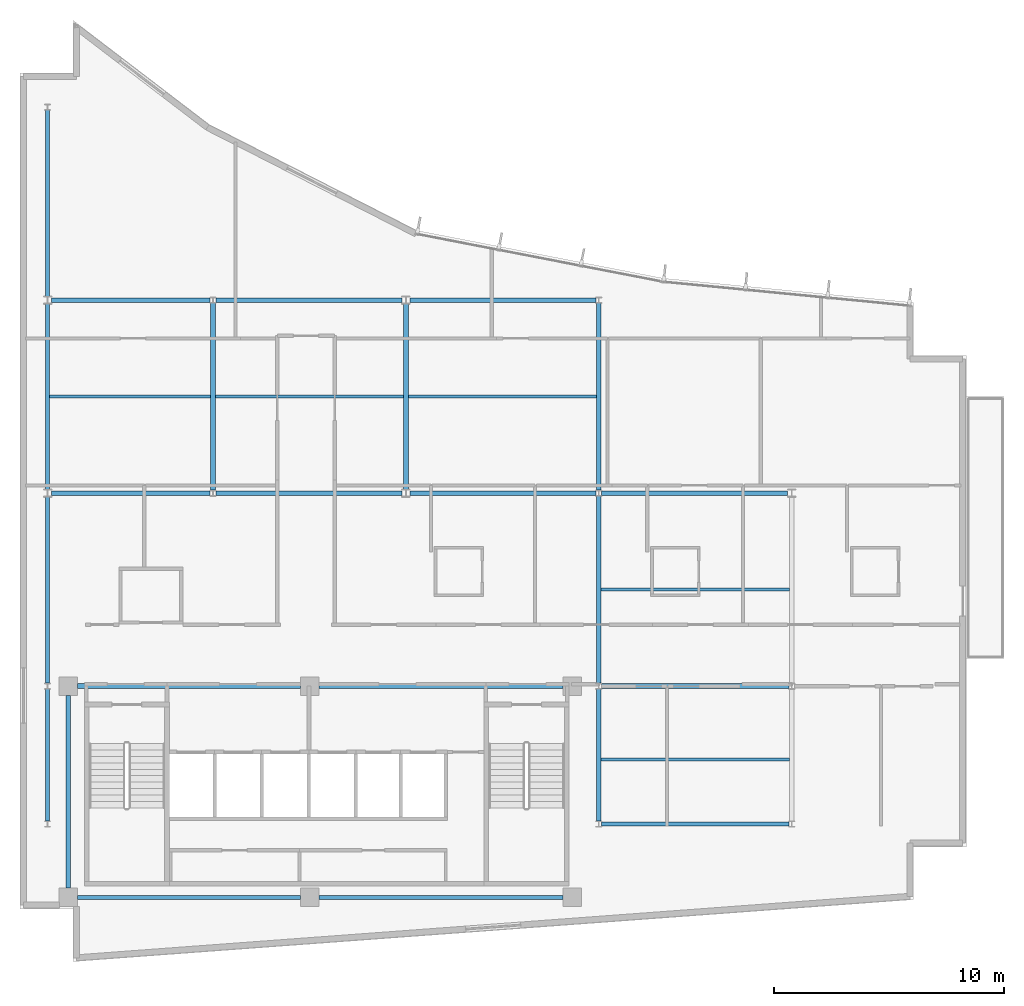
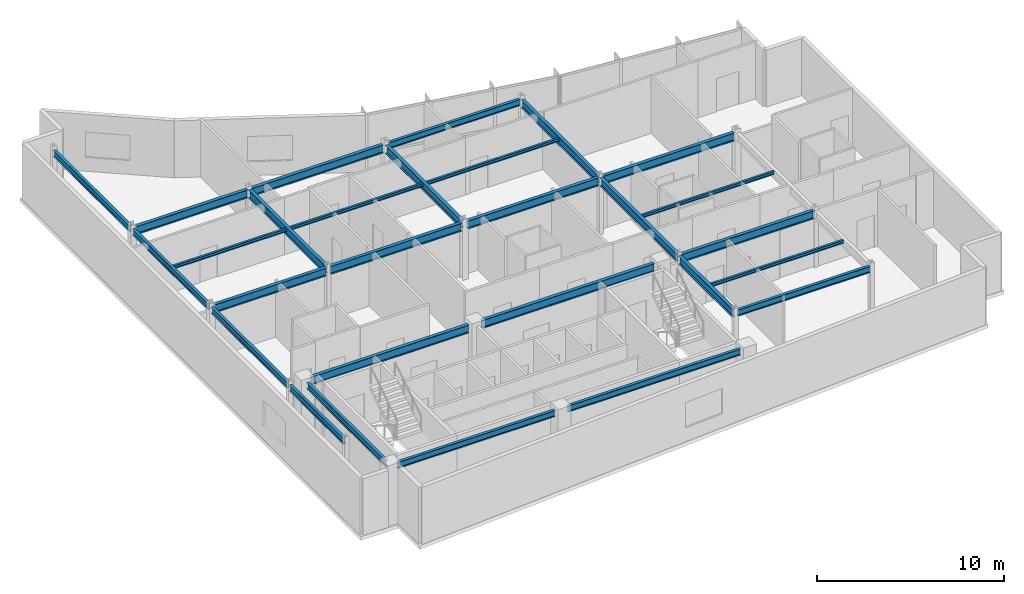
# One storey, part 5 of 15: 28 beams.
"""IFC4 building model written with IfcOpenShell, lengths in metres."""

from ifc_helpers import new_model, si_unit, direction, frame, origin, origin_2d, place, context, subcontext, project, spatial, i_section, extrude, material, material_profile, profile_set, type_object, element, save


model = new_model("IFC4")

# Units and contexts
model_context = context("Model", 3, precision=1e-05, world=origin(), true_north=direction((0.0, 1.0)))
body_context = subcontext(model_context, "Body", "Model", "MODEL_VIEW")
ifc_project = project(units=[si_unit("LENGTHUNIT", "METRE"), si_unit("AREAUNIT", "SQUARE_METRE"), si_unit("VOLUMEUNIT", "CUBIC_METRE"), si_unit("PLANEANGLEUNIT", "RADIAN"), si_unit("MASSUNIT", "GRAM", prefix="KILO")], contexts=[model_context])

# Site, building, storey
site_placement = place(None, origin())
site = spatial("IfcSite", under=ifc_project, at=site_placement, CompositionType="ELEMENT")
building_placement = place(site_placement, origin())
building = spatial("IfcBuilding", under=site, at=building_placement, Name="Varnakote Quay Hospital", CompositionType="ELEMENT")
storey_placement = place(building_placement, frame((0.0, 0.0, 276.300048828125)))
storey = spatial("IfcBuildingStorey", under=building, at=storey_placement, Name="L68", CompositionType="ELEMENT", Elevation=276.300048828125)

# Beams
ifc_material_1 = material(Name="Structural steel AS/NZS 3679.1 Grade 350 L0 (fy 340 MPa)", Category="steel")
ifc_material_profile_1 = material_profile(ifc_material_1, i_section(OverallWidth=0.208984375, OverallDepth=0.528076171875, WebThickness=0.009521484375, FlangeThickness=0.01318359375, FilletRadius=0.013916015625, at=origin_2d()), Name="530UB82.0")
ifc_profile_set_1 = profile_set([ifc_material_profile_1], Name="Structural steel AS/NZS 3679.1 Grade 350 L0 (fy 340 MPa)")
beam_type_1 = type_object("IfcBeamType", Name="BM-STL-530UB82-0", PredefinedType="BEAM", material=ifc_profile_set_1)
beam_1_placement = place(storey_placement, frame((2.5, 12.0, 3.446044921875), z_axis=(1.0, 0.0, 0.0), x_axis=(0.0, 1.0, 0.0)))
element("IfcBeam", 1, at=beam_1_placement, inside=storey, type_object=beam_type_1, Name="L68 Primary Floor Beam", PredefinedType="BEAM", context=body_context, shape_type="SweptSolid", body=[
    extrude(i_section(OverallWidth=0.208984375, OverallDepth=0.528076171875, WebThickness=0.009521484375, FlangeThickness=0.01318359375, FilletRadius=0.013916015625, at=origin_2d()), origin(), (0.0, 0.0, 1.0), 9.719970703125),
])
beam_2_placement = place(storey_placement, frame((13.02001953125, 12.0, 3.446044921875), z_axis=(1.0, 0.0, 0.0), x_axis=(0.0, 1.0, 0.0)))
element("IfcBeam", 2, at=beam_2_placement, inside=storey, type_object=beam_type_1, Name="L68 Primary Floor Beam", PredefinedType="BEAM", context=body_context, shape_type="SweptSolid", body=[
    extrude(i_section(OverallWidth=0.208984375, OverallDepth=0.528076171875, WebThickness=0.009521484375, FlangeThickness=0.01318359375, FilletRadius=0.013916015625, at=origin_2d()), origin(), (0.0, 0.0, 1.0), 10.6298828125),
])
beam_3_placement = place(storey_placement, frame((25.326904296875, 12.0, 3.446044921875), z_axis=(1.0, 0.0, 0.0), x_axis=(0.0, 1.0, 0.0)))
element("IfcBeam", 3, at=beam_3_placement, inside=storey, type_object=beam_type_1, Name="L68 Primary Floor Beam", PredefinedType="BEAM", context=body_context, shape_type="SweptSolid", body=[
    extrude(i_section(OverallWidth=0.208984375, OverallDepth=0.528076171875, WebThickness=0.009521484375, FlangeThickness=0.01318359375, FilletRadius=0.013916015625, at=origin_2d()), origin(), (0.0, 0.0, 1.0), 8.14599609375),
])
beam_4_placement = place(storey_placement, frame((1.375, 20.39990234375, 3.446044921875), z_axis=(1.0, 0.0, 0.0), x_axis=(0.0, 1.0, 0.0)))
element("IfcBeam", 4, at=beam_4_placement, inside=storey, type_object=beam_type_1, Name="L68 Primary Floor Beam", PredefinedType="BEAM", context=body_context, shape_type="SweptSolid", body=[
    extrude(i_section(OverallWidth=0.208984375, OverallDepth=0.528076171875, WebThickness=0.009521484375, FlangeThickness=0.01318359375, FilletRadius=0.013916015625, at=origin_2d()), origin(), (0.0, 0.0, 1.0), 6.89794921875),
])
for number, where, z_axis, x_axis, name in (
    (5, (8.527099609375, 20.39990234375, 3.446044921875), (1.0, 0.0, 0.0), (0.0, 1.0, 0.0), "L68 Primary Floor Beam"),
    (6, (16.97509765625, 20.39990234375, 3.446044921875), (1.0, 0.0, 0.0), (0.0, 1.0, 0.0), "L68 Primary Floor Beam"),
):
    element("IfcBeam", number, at=place(storey_placement, frame(where, z_axis=z_axis, x_axis=x_axis)), inside=storey, type_object=beam_type_1, Name=name, PredefinedType="BEAM", context=body_context, shape_type="SweptSolid", body=[
        extrude(i_section(OverallWidth=0.208984375, OverallDepth=0.528076171875, WebThickness=0.009521484375, FlangeThickness=0.01318359375, FilletRadius=0.013916015625, at=origin_2d()), origin(), (0.0, 0.0, 1.0), 8.097900390625),
    ])
beam_5_placement = place(storey_placement, frame((25.326904296875, 20.39990234375, 3.446044921875), z_axis=(1.0, 0.0, 0.0), x_axis=(0.0, 1.0, 0.0)))
element("IfcBeam", 7, at=beam_5_placement, inside=storey, type_object=beam_type_1, Name="L68 Primary Floor Beam", PredefinedType="BEAM", context=body_context, shape_type="SweptSolid", body=[
    extrude(i_section(OverallWidth=0.208984375, OverallDepth=0.528076171875, WebThickness=0.009521484375, FlangeThickness=0.01318359375, FilletRadius=0.013916015625, at=origin_2d()), origin(), (0.0, 0.0, 1.0), 8.09814453125),
])
beam_6_placement = place(storey_placement, frame((1.375, 28.800048828125, 3.446044921875), z_axis=(1.0, 0.0, 0.0), x_axis=(0.0, 1.0, 0.0)))
element("IfcBeam", 8, at=beam_6_placement, inside=storey, type_object=beam_type_1, Name="L68 Primary Floor Beam", PredefinedType="BEAM", context=body_context, shape_type="SweptSolid", body=[
    extrude(i_section(OverallWidth=0.208984375, OverallDepth=0.528076171875, WebThickness=0.009521484375, FlangeThickness=0.01318359375, FilletRadius=0.013916015625, at=origin_2d()), origin(), (0.0, 0.0, 1.0), 6.89794921875),
])
beam_7_placement = place(storey_placement, frame((8.527099609375, 28.800048828125, 3.446044921875), z_axis=(1.0, 0.0, 0.0), x_axis=(0.0, 1.0, 0.0)))
element("IfcBeam", 9, at=beam_7_placement, inside=storey, type_object=beam_type_1, Name="L68 Primary Floor Beam", PredefinedType="BEAM", context=body_context, shape_type="SweptSolid", body=[
    extrude(i_section(OverallWidth=0.208984375, OverallDepth=0.528076171875, WebThickness=0.009521484375, FlangeThickness=0.01318359375, FilletRadius=0.013916015625, at=origin_2d()), origin(), (0.0, 0.0, 1.0), 8.097900390625),
])
beam_8_placement = place(storey_placement, frame((8.39990234375, 20.527099609375, 3.446044921875), z_axis=(0.0, 1.0, 0.0), x_axis=(-1.0, 0.0, 0.0)))
element("IfcBeam", 10, at=beam_8_placement, inside=storey, type_object=beam_type_1, Name="L68 Primary Tie Beam", PredefinedType="BEAM", context=body_context, shape_type="SweptSolid", body=[
    extrude(i_section(OverallWidth=0.208984375, OverallDepth=0.528076171875, WebThickness=0.009521484375, FlangeThickness=0.01318359375, FilletRadius=0.013916015625, at=origin_2d()), origin(), (0.0, 0.0, 1.0), 8.14599609375),
])
beam_9_placement = place(storey_placement, frame((16.800048828125, 20.570068359375, 3.446044921875), z_axis=(0.0, 1.0, 0.0), x_axis=(-1.0, 0.0, 0.0)))
element("IfcBeam", 11, at=beam_9_placement, inside=storey, type_object=beam_type_1, Name="L68 Primary Tie Beam", PredefinedType="BEAM", context=body_context, shape_type="SweptSolid", body=[
    extrude(i_section(OverallWidth=0.208984375, OverallDepth=0.528076171875, WebThickness=0.009521484375, FlangeThickness=0.01318359375, FilletRadius=0.013916015625, at=origin_2d()), origin(), (0.0, 0.0, 1.0), 8.059814453125),
])
beam_10_placement = place(storey_placement, frame((25.199951171875, 6.126953125, 3.446044921875), z_axis=(0.0, 1.0, 0.0), x_axis=(-1.0, 0.0, 0.0)))
element("IfcBeam", 12, at=beam_10_placement, inside=storey, type_object=beam_type_1, Name="L68 Primary Tie Beam", PredefinedType="BEAM", context=body_context, shape_type="SweptSolid", body=[
    extrude(i_section(OverallWidth=0.208984375, OverallDepth=0.528076171875, WebThickness=0.009521484375, FlangeThickness=0.01318359375, FilletRadius=0.013916015625, at=origin_2d()), origin(), (0.0, 0.0, 1.0), 5.74609375),
])
for number, where, z_axis, x_axis, name in (
    (13, (25.199951171875, 12.126953125, 3.446044921875), (0.0, 1.0, 0.0), (-1.0, 0.0, 0.0), "L68 Primary Tie Beam"),
    (14, (25.199951171875, 20.527099609375, 3.446044921875), (0.0, 1.0, 0.0), (-1.0, 0.0, 0.0), "L68 Primary Tie Beam"),
):
    element("IfcBeam", number, at=place(storey_placement, frame(where, z_axis=z_axis, x_axis=x_axis)), inside=storey, type_object=beam_type_1, Name=name, PredefinedType="BEAM", context=body_context, shape_type="SweptSolid", body=[
        extrude(i_section(OverallWidth=0.208984375, OverallDepth=0.528076171875, WebThickness=0.009521484375, FlangeThickness=0.01318359375, FilletRadius=0.013916015625, at=origin_2d()), origin(), (0.0, 0.0, 1.0), 8.14599609375),
    ])
ifc_material_2 = material(Name="Structural steel AS/NZS 3679.1 Grade 350 L0 (fy 340 MPa)", Category="steel")
ifc_material_profile_2 = material_profile(ifc_material_2, i_section(OverallWidth=0.134033203125, OverallDepth=0.20703125, WebThickness=0.00634765625, FlangeThickness=0.009521484375, FilletRadius=0.0087890625, at=origin_2d()), Name="200UB29.8")
ifc_profile_set_2 = profile_set([ifc_material_profile_2], Name="Structural steel AS/NZS 3679.1 Grade 350 L0 (fy 340 MPa)")
beam_type_2 = type_object("IfcBeamType", Name="JST-STL-200UB29-8", PredefinedType="JOIST", material=ifc_profile_set_2)
for number, where, z_axis, x_axis, name in (
    (15, (25.304443359375, 8.800048828125, 3.6064453125), (1.0, 0.0, 0.0), (0.0, 1.0, 0.0), "L68 Composite Floor Joist"),
    (16, (25.304443359375, 16.199951171875, 3.6064453125), (1.0, 0.0, 0.0), (0.0, 1.0, 0.0), "L68 Composite Floor Joist"),
):
    element("IfcBeam", number, at=place(storey_placement, frame(where, z_axis=z_axis, x_axis=x_axis)), inside=storey, type_object=beam_type_2, Name=name, PredefinedType="JOIST", context=body_context, shape_type="SweptSolid", body=[
        extrude(i_section(OverallWidth=0.134033203125, OverallDepth=0.20703125, WebThickness=0.00634765625, FlangeThickness=0.009521484375, FilletRadius=0.0087890625, at=origin_2d()), origin(), (0.0, 0.0, 1.0), 8.191162109375),
    ])
beam_11_placement = place(storey_placement, frame((1.2890625, 24.60009765625, 3.6064453125), z_axis=(1.0, 0.0, 0.0), x_axis=(0.0, 1.0, 0.0)))
element("IfcBeam", 17, at=beam_11_placement, inside=storey, type_object=beam_type_2, Name="L68 Composite Floor Joist", PredefinedType="JOIST", context=body_context, shape_type="SweptSolid", body=[
    extrude(i_section(OverallWidth=0.134033203125, OverallDepth=0.20703125, WebThickness=0.00634765625, FlangeThickness=0.009521484375, FilletRadius=0.0087890625, at=origin_2d()), origin(), (0.0, 0.0, 1.0), 7.00634765625),
])
beam_12_placement = place(storey_placement, frame((8.50439453125, 24.60009765625, 3.6064453125), z_axis=(1.0, 0.0, 0.0), x_axis=(0.0, 1.0, 0.0)))
element("IfcBeam", 18, at=beam_12_placement, inside=storey, type_object=beam_type_2, Name="L68 Composite Floor Joist", PredefinedType="JOIST", context=body_context, shape_type="SweptSolid", body=[
    extrude(i_section(OverallWidth=0.134033203125, OverallDepth=0.20703125, WebThickness=0.00634765625, FlangeThickness=0.009521484375, FilletRadius=0.0087890625, at=origin_2d()), origin(), (0.0, 0.0, 1.0), 8.191162109375),
])
beam_13_placement = place(storey_placement, frame((16.904541015625, 24.60009765625, 3.6064453125), z_axis=(1.0, 0.0, 0.0), x_axis=(0.0, 1.0, 0.0)))
element("IfcBeam", 19, at=beam_13_placement, inside=storey, type_object=beam_type_2, Name="L68 Composite Floor Joist", PredefinedType="JOIST", context=body_context, shape_type="SweptSolid", body=[
    extrude(i_section(OverallWidth=0.134033203125, OverallDepth=0.20703125, WebThickness=0.00634765625, FlangeThickness=0.009521484375, FilletRadius=0.0087890625, at=origin_2d()), origin(), (0.0, 0.0, 1.0), 8.19091796875),
])
ifc_material_3 = material(Name="Structural steel AS/NZS 3679.1 Grade 350 L0 (fy 340 MPa)", Category="steel")
ifc_material_profile_3 = material_profile(ifc_material_3, i_section(OverallWidth=0.177978515625, OverallDepth=0.403076171875, WebThickness=0.007568359375, FlangeThickness=0.010986328125, FilletRadius=0.011474609375, at=origin_2d()), Name="410UB53.7")
ifc_profile_set_3 = profile_set([ifc_material_profile_3], Name="Structural steel AS/NZS 3679.1 Grade 350 L0 (fy 340 MPa)")
beam_type_3 = type_object("IfcBeamType", Name="SPN-STL-410UB53-7", PredefinedType="SPANDREL", material=ifc_profile_set_3)
beam_14_placement = place(storey_placement, frame((1.199951171875, 6.126953125, 3.508544921875), z_axis=(0.0, 1.0, 0.0), x_axis=(-1.0, 0.0, 0.0)))
element("IfcBeam", 20, at=beam_14_placement, inside=storey, type_object=beam_type_3, Name="L68 Perimeter Spandrel Beam", PredefinedType="SPANDREL", context=body_context, shape_type="SweptSolid", body=[
    extrude(i_section(OverallWidth=0.177978515625, OverallDepth=0.403076171875, WebThickness=0.007568359375, FlangeThickness=0.010986328125, FilletRadius=0.011474609375, at=origin_2d()), origin(), (0.0, 0.0, 1.0), 5.74609375),
])
beam_15_placement = place(storey_placement, frame((1.199951171875, 12.126953125, 3.508544921875), z_axis=(0.0, 1.0, 0.0), x_axis=(-1.0, 0.0, 0.0)))
element("IfcBeam", 21, at=beam_15_placement, inside=storey, type_object=beam_type_3, Name="L68 Perimeter Spandrel Beam", PredefinedType="SPANDREL", context=body_context, shape_type="SweptSolid", body=[
    extrude(i_section(OverallWidth=0.177978515625, OverallDepth=0.403076171875, WebThickness=0.007568359375, FlangeThickness=0.010986328125, FilletRadius=0.011474609375, at=origin_2d()), origin(), (0.0, 0.0, 1.0), 8.10302734375),
])
beam_16_placement = place(storey_placement, frame((1.199951171875, 20.570068359375, 3.508544921875), z_axis=(0.0, 1.0, 0.0), x_axis=(-1.0, 0.0, 0.0)))
element("IfcBeam", 22, at=beam_16_placement, inside=storey, type_object=beam_type_3, Name="L68 Perimeter Spandrel Beam", PredefinedType="SPANDREL", context=body_context, shape_type="SweptSolid", body=[
    extrude(i_section(OverallWidth=0.177978515625, OverallDepth=0.403076171875, WebThickness=0.007568359375, FlangeThickness=0.010986328125, FilletRadius=0.011474609375, at=origin_2d()), origin(), (0.0, 0.0, 1.0), 8.059814453125),
])
beam_17_placement = place(storey_placement, frame((1.199951171875, 28.969970703125, 3.508544921875), z_axis=(0.0, 1.0, 0.0), x_axis=(-1.0, 0.0, 0.0)))
element("IfcBeam", 23, at=beam_17_placement, inside=storey, type_object=beam_type_3, Name="L68 Perimeter Spandrel Beam", PredefinedType="SPANDREL", context=body_context, shape_type="SweptSolid", body=[
    extrude(i_section(OverallWidth=0.177978515625, OverallDepth=0.403076171875, WebThickness=0.007568359375, FlangeThickness=0.010986328125, FilletRadius=0.011474609375, at=origin_2d()), origin(), (0.0, 0.0, 1.0), 8.10302734375),
])
beam_18_placement = place(storey_placement, frame((2.10009765625, 3.199951171875, 3.508544921875), z_axis=(0.0, 1.0, 0.0), x_axis=(-1.0, 0.0, 0.0)))
element("IfcBeam", 24, at=beam_18_placement, inside=storey, type_object=beam_type_3, Name="L68 Perimeter Spandrel Beam", PredefinedType="SPANDREL", context=body_context, shape_type="SweptSolid", body=[
    extrude(i_section(OverallWidth=0.177978515625, OverallDepth=0.403076171875, WebThickness=0.007568359375, FlangeThickness=0.010986328125, FilletRadius=0.011474609375, at=origin_2d()), origin(), (0.0, 0.0, 1.0), 8.400146484375),
])
ifc_material_4 = material(Name="Structural steel AS/NZS 3679.1 Grade 350 L0 (fy 340 MPa)", Category="steel")
ifc_material_profile_4 = material_profile(ifc_material_4, i_section(OverallWidth=0.177978515625, OverallDepth=0.406005859375, WebThickness=0.0078125, FlangeThickness=0.0126953125, FilletRadius=0.011474609375, at=origin_2d()), Name="410UB59.7")
ifc_profile_set_4 = profile_set([ifc_material_profile_4], Name="Structural steel AS/NZS 3679.1 Grade 350 L0 (fy 340 MPa)")
beam_type_4 = type_object("IfcBeamType", Name="SPN-STL-410UB59-7", PredefinedType="SPANDREL", material=ifc_profile_set_4)
beam_19_placement = place(storey_placement, frame((2.5, 2.800048828125, 3.5068359375), z_axis=(1.0, 0.0, 0.0), x_axis=(0.0, 1.0, 0.0)))
element("IfcBeam", 25, at=beam_19_placement, inside=storey, type_object=beam_type_4, Name="L68 Perimeter Spandrel Beam", PredefinedType="SPANDREL", context=body_context, shape_type="SweptSolid", body=[
    extrude(i_section(OverallWidth=0.177978515625, OverallDepth=0.406005859375, WebThickness=0.0078125, FlangeThickness=0.0126953125, FilletRadius=0.011474609375, at=origin_2d()), origin(), (0.0, 0.0, 1.0), 9.719970703125),
])
beam_20_placement = place(storey_placement, frame((13.02001953125, 2.800048828125, 3.5068359375), z_axis=(1.0, 0.0, 0.0), x_axis=(0.0, 1.0, 0.0)))
element("IfcBeam", 26, at=beam_20_placement, inside=storey, type_object=beam_type_4, Name="L68 Perimeter Spandrel Beam", PredefinedType="SPANDREL", context=body_context, shape_type="SweptSolid", body=[
    extrude(i_section(OverallWidth=0.177978515625, OverallDepth=0.406005859375, WebThickness=0.0078125, FlangeThickness=0.0126953125, FilletRadius=0.011474609375, at=origin_2d()), origin(), (0.0, 0.0, 1.0), 10.6298828125),
])
beam_21_placement = place(storey_placement, frame((25.326904296875, 6.0, 3.5068359375), z_axis=(1.0, 0.0, 0.0), x_axis=(0.0, 1.0, 0.0)))
element("IfcBeam", 27, at=beam_21_placement, inside=storey, type_object=beam_type_4, Name="L68 Perimeter Spandrel Beam", PredefinedType="SPANDREL", context=body_context, shape_type="SweptSolid", body=[
    extrude(i_section(OverallWidth=0.177978515625, OverallDepth=0.406005859375, WebThickness=0.0078125, FlangeThickness=0.0126953125, FilletRadius=0.011474609375, at=origin_2d()), origin(), (0.0, 0.0, 1.0), 8.14599609375),
])
beam_22_placement = place(storey_placement, frame((16.97509765625, 28.800048828125, 3.5068359375), z_axis=(1.0, 0.0, 0.0), x_axis=(0.0, 1.0, 0.0)))
element("IfcBeam", 28, at=beam_22_placement, inside=storey, type_object=beam_type_4, Name="L68 Perimeter Spandrel Beam", PredefinedType="SPANDREL", context=body_context, shape_type="SweptSolid", body=[
    extrude(i_section(OverallWidth=0.177978515625, OverallDepth=0.406005859375, WebThickness=0.0078125, FlangeThickness=0.0126953125, FilletRadius=0.011474609375, at=origin_2d()), origin(), (0.0, 0.0, 1.0), 8.097900390625),
])

save(model, "model.ifc")
